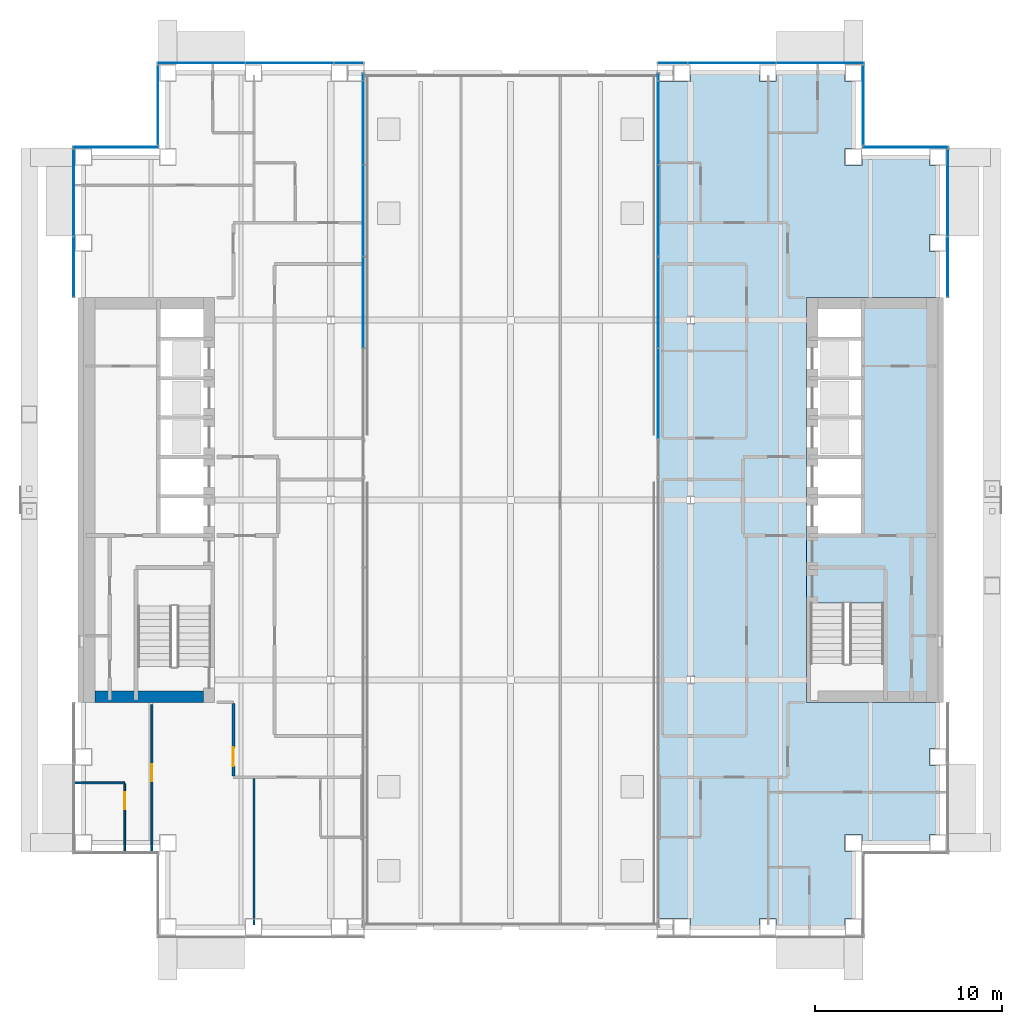
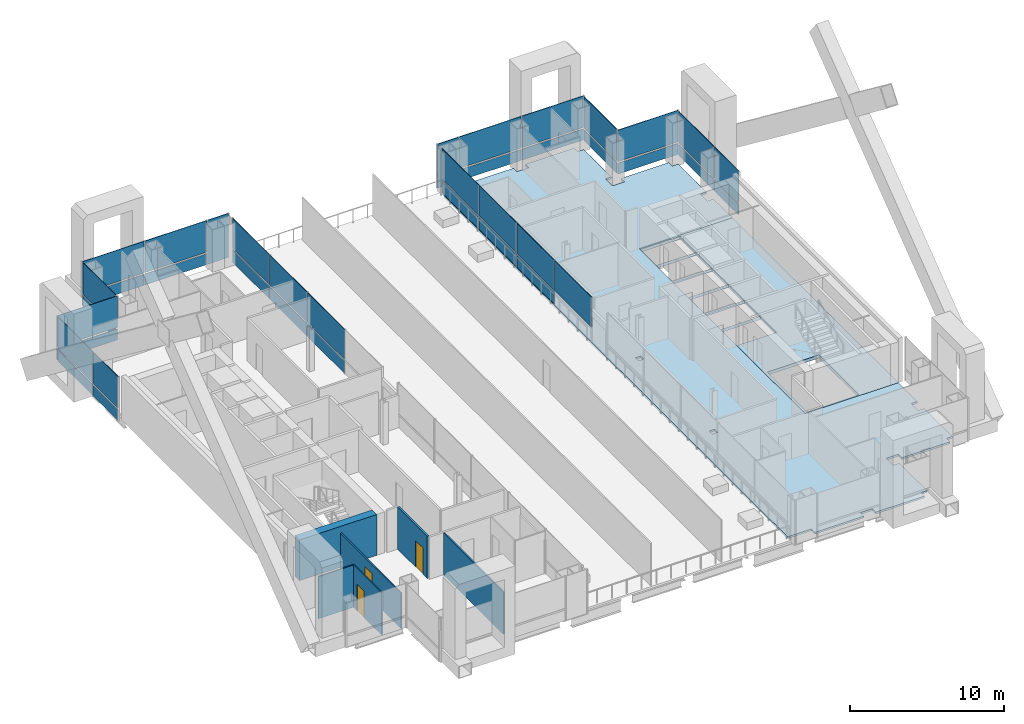
# One storey, part 12 of 20: 39 plates, 6 walls, 3 doors, 2 slabs, 3 openings, 10 elements without a shape of their own.
"""IFC4 building model written with IfcOpenShell, lengths in metres."""

from ifc_helpers import new_model, si_unit, direction, frame, frame_2d, origin, origin_2d, place, context, subcontext, project, spatial, polyline, rectangle, outline, extrude, material, layer, layer_set, type_object, element, fill, aggregate, save


model = new_model("IFC4")

# Units and contexts
model_context = context("Model", 3, precision=1e-05, world=origin(), true_north=direction((0.0, 1.0)))
body_context = subcontext(model_context, "Body", "Model", "MODEL_VIEW")
ifc_project = project(units=[si_unit("LENGTHUNIT", "METRE"), si_unit("AREAUNIT", "SQUARE_METRE"), si_unit("VOLUMEUNIT", "CUBIC_METRE"), si_unit("PLANEANGLEUNIT", "RADIAN"), si_unit("MASSUNIT", "GRAM", prefix="KILO")], contexts=[model_context])

# Site, building, storey
site_placement = place(None, origin())
site = spatial("IfcSite", under=ifc_project, at=site_placement, CompositionType="ELEMENT")
building_placement = place(site_placement, origin())
building = spatial("IfcBuilding", under=site, at=building_placement, Name="Cobrizo Arcos Hotel Tower", CompositionType="ELEMENT")
storey_placement = place(building_placement, frame((0.0, 0.0, 117.0)))
storey = spatial("IfcBuildingStorey", under=building, at=storey_placement, Name="L29", CompositionType="ELEMENT", Elevation=117.0)

# Curtain wall, plates
ifc_material_1 = material(Name="Aluminium 6063-T6 anodised bronze", Category="aluminium")
curtain_wall_type_1 = type_object("IfcCurtainWallType", Name="CW-A guest facade", PredefinedType="NOTDEFINED", material=ifc_material_1)
curtain_wall_1_placement = place(storey_placement, origin())
curtain_wall_1 = element("IfcCurtainWall", 1, at=curtain_wall_1_placement, inside=storey, type_object=curtain_wall_type_1, Name="CW-A L29 E face", PredefinedType="NOTDEFINED")
ifc_material_2 = material(Name="Glass clear laminated low-e", Category="glass")
ifc_layer_1 = layer(ifc_material_2, 0.0400390625)
ifc_layer_set_1 = layer_set([ifc_layer_1], Name="CW-A glass panel")
plate_type_1 = type_object("IfcPlateType", Name="CW-A glass panel", PredefinedType="CURTAIN_PANEL", material=ifc_layer_set_1)
plate_1_placement = place(storey_placement, frame((23.324951171875, 12.4462890625, 0.990234375), z_axis=(0.0, 0.0, 1.0), x_axis=(0.0, 1.0, 0.0)))
plate_1 = element("IfcPlate", 2, at=plate_1_placement, type_object=plate_type_1, Name="CW-A glass panel 1117", PredefinedType="CURTAIN_PANEL", context=body_context, shape_type="SweptSolid", body=[
    extrude(rectangle(XDim=3.172607421875, YDim=0.0400390625, at=origin_2d()), origin(), (0.0, 0.0, 1.0), 2.510009765625),
])
plate_2_placement = place(storey_placement, frame((23.324951171875, 16.391357421875, 0.990234375), z_axis=(0.0, 0.0, 1.0), x_axis=(0.0, 1.0, 0.0)))
plate_2 = element("IfcPlate", 3, at=plate_2_placement, type_object=plate_type_1, Name="CW-A glass panel 1118", PredefinedType="CURTAIN_PANEL", context=body_context, shape_type="SweptSolid", body=[
    extrude(rectangle(XDim=4.597412109375, YDim=0.0400390625, at=origin_2d()), origin(), (0.0, 0.0, 1.0), 2.510009765625),
])

# Curtain wall, plate
curtain_wall_2_placement = place(storey_placement, origin())
curtain_wall_2 = element("IfcCurtainWall", 4, at=curtain_wall_2_placement, inside=storey, type_object=curtain_wall_type_1, Name="CW-A L29 N face", PredefinedType="NOTDEFINED")
plate_3_placement = place(storey_placement, frame((21.074951171875, 18.824951171875, 0.990234375), z_axis=(0.0, 0.0, 1.0), x_axis=(-1.0, 0.0, 0.0)))
plate_3 = element("IfcPlate", 5, at=plate_3_placement, type_object=plate_type_1, Name="CW-A glass panel 1119", PredefinedType="CURTAIN_PANEL", context=body_context, shape_type="SweptSolid", body=[
    extrude(rectangle(XDim=4.530029296875, YDim=0.0400390625, at=origin_2d()), origin(), (0.0, 0.0, 1.0), 2.510009765625),
])

curtain_wall_3_placement = place(storey_placement, origin())
curtain_wall_3 = element("IfcCurtainWall", 6, at=curtain_wall_3_placement, inside=storey, type_object=curtain_wall_type_1, Name="CW-A L29 E face", PredefinedType="NOTDEFINED")
plate_4_placement = place(storey_placement, frame((18.824951171875, 21.074951171875, 0.990234375), z_axis=(0.0, 0.0, 1.0), x_axis=(0.0, 1.0, 0.0)))
plate_4 = element("IfcPlate", 7, at=plate_4_placement, type_object=plate_type_1, Name="CW-A glass panel 1120", PredefinedType="CURTAIN_PANEL", context=body_context, shape_type="SweptSolid", body=[
    extrude(rectangle(XDim=4.22998046875, YDim=0.0400390625, at=origin_2d()), origin(), (0.0, 0.0, 1.0), 2.510009765625),
])

# Curtain wall, plates
curtain_wall_4_placement = place(storey_placement, origin())
curtain_wall_4 = element("IfcCurtainWall", 8, at=curtain_wall_4_placement, inside=storey, type_object=curtain_wall_type_1, Name="CW-A L29 N face", PredefinedType="NOTDEFINED")
plate_5_placement = place(storey_placement, frame((16.5224609375, 23.324951171875, 0.990234375), z_axis=(0.0, 0.0, 1.0), x_axis=(-1.0, 0.0, 0.0)))
plate_5 = element("IfcPlate", 9, at=plate_5_placement, type_object=plate_type_1, Name="CW-A glass panel 1121", PredefinedType="CURTAIN_PANEL", context=body_context, shape_type="SweptSolid", body=[
    extrude(rectangle(XDim=4.635009765625, YDim=0.0400390625, at=origin_2d()), origin(), (0.0, 0.0, 1.0), 2.510009765625),
])
plate_6_placement = place(storey_placement, frame((11.8125, 23.324951171875, 0.990234375), z_axis=(0.0, 0.0, 1.0), x_axis=(-1.0, 0.0, 0.0)))
plate_6 = element("IfcPlate", 10, at=plate_6_placement, type_object=plate_type_1, Name="CW-A glass panel 1122", PredefinedType="CURTAIN_PANEL", context=body_context, shape_type="SweptSolid", body=[
    extrude(rectangle(XDim=4.6650390625, YDim=0.0400390625, at=origin_2d()), origin(), (0.0, 0.0, 1.0), 2.510009765625),
])

curtain_wall_5_placement = place(storey_placement, origin())
curtain_wall_5 = element("IfcCurtainWall", 11, at=curtain_wall_5_placement, inside=storey, type_object=curtain_wall_type_1, Name="CW-A L29 N face", PredefinedType="NOTDEFINED")
plate_7_placement = place(storey_placement, frame((-11.8125, 23.324951171875, 0.990234375), z_axis=(0.0, 0.0, 1.0), x_axis=(-1.0, 0.0, 0.0)))
plate_7 = element("IfcPlate", 12, at=plate_7_placement, type_object=plate_type_1, Name="CW-A glass panel 1125", PredefinedType="CURTAIN_PANEL", context=body_context, shape_type="SweptSolid", body=[
    extrude(rectangle(XDim=4.6650390625, YDim=0.0400390625, at=origin_2d()), origin(), (0.0, 0.0, 1.0), 2.510009765625),
])
plate_8_placement = place(storey_placement, frame((-16.5224609375, 23.324951171875, 0.990234375), z_axis=(0.0, 0.0, 1.0), x_axis=(-1.0, 0.0, 0.0)))
plate_8 = element("IfcPlate", 13, at=plate_8_placement, type_object=plate_type_1, Name="CW-A glass panel 1126", PredefinedType="CURTAIN_PANEL", context=body_context, shape_type="SweptSolid", body=[
    extrude(rectangle(XDim=4.635009765625, YDim=0.0400390625, at=origin_2d()), origin(), (0.0, 0.0, 1.0), 2.510009765625),
])

# Curtain wall, plate
curtain_wall_6_placement = place(storey_placement, origin())
curtain_wall_6 = element("IfcCurtainWall", 14, at=curtain_wall_6_placement, inside=storey, type_object=curtain_wall_type_1, Name="CW-A L29 W face", PredefinedType="NOTDEFINED")
plate_9_placement = place(storey_placement, frame((-18.824951171875, 21.074951171875, 0.990234375), z_axis=(0.0, 0.0, 1.0), x_axis=(0.0, -1.0, 0.0)))
plate_9 = element("IfcPlate", 15, at=plate_9_placement, type_object=plate_type_1, Name="CW-A glass panel 1127", PredefinedType="CURTAIN_PANEL", context=body_context, shape_type="SweptSolid", body=[
    extrude(rectangle(XDim=4.22998046875, YDim=0.0400390625, at=origin_2d()), origin(), (0.0, 0.0, 1.0), 2.510009765625),
])

curtain_wall_7_placement = place(storey_placement, origin())
curtain_wall_7 = element("IfcCurtainWall", 16, at=curtain_wall_7_placement, inside=storey, type_object=curtain_wall_type_1, Name="CW-A L29 N face", PredefinedType="NOTDEFINED")
plate_10_placement = place(storey_placement, frame((-21.074951171875, 18.824951171875, 0.990234375), z_axis=(0.0, 0.0, 1.0), x_axis=(-1.0, 0.0, 0.0)))
plate_10 = element("IfcPlate", 17, at=plate_10_placement, type_object=plate_type_1, Name="CW-A glass panel 1128", PredefinedType="CURTAIN_PANEL", context=body_context, shape_type="SweptSolid", body=[
    extrude(rectangle(XDim=4.530029296875, YDim=0.0400390625, at=origin_2d()), origin(), (0.0, 0.0, 1.0), 2.510009765625),
])

# Curtain wall, plates
curtain_wall_8_placement = place(storey_placement, origin())
curtain_wall_8 = element("IfcCurtainWall", 18, at=curtain_wall_8_placement, inside=storey, type_object=curtain_wall_type_1, Name="CW-A L29 W face", PredefinedType="NOTDEFINED")
plate_11_placement = place(storey_placement, frame((-23.324951171875, 16.391357421875, 0.990234375), z_axis=(0.0, 0.0, 1.0), x_axis=(0.0, -1.0, 0.0)))
plate_11 = element("IfcPlate", 19, at=plate_11_placement, type_object=plate_type_1, Name="CW-A glass panel 1129", PredefinedType="CURTAIN_PANEL", context=body_context, shape_type="SweptSolid", body=[
    extrude(rectangle(XDim=4.597412109375, YDim=0.0400390625, at=origin_2d()), origin(), (0.0, 0.0, 1.0), 2.510009765625),
])
plate_12_placement = place(storey_placement, frame((-23.324951171875, 12.4462890625, 0.990234375), z_axis=(0.0, 0.0, 1.0), x_axis=(0.0, -1.0, 0.0)))
plate_12 = element("IfcPlate", 20, at=plate_12_placement, type_object=plate_type_1, Name="CW-A glass panel 1130", PredefinedType="CURTAIN_PANEL", context=body_context, shape_type="SweptSolid", body=[
    extrude(rectangle(XDim=3.172607421875, YDim=0.0400390625, at=origin_2d()), origin(), (0.0, 0.0, 1.0), 2.510009765625),
])

# Plate
ifc_material_3 = material(Name="Aluminium composite panel pale metal", Category="aluminium")
ifc_layer_2 = layer(ifc_material_3, 0.0400390625)
ifc_layer_set_2 = layer_set([ifc_layer_2], Name="CW-A spandrel panel")
plate_type_2 = type_object("IfcPlateType", Name="CW-A spandrel panel", PredefinedType="CURTAIN_PANEL", material=ifc_layer_set_2)
plate_13_placement = place(storey_placement, frame((23.324951171875, 12.4462890625, 0.0), z_axis=(0.0, 0.0, 1.0), x_axis=(0.0, 1.0, 0.0)))
plate_13 = element("IfcPlate", 21, at=plate_13_placement, type_object=plate_type_2, Name="CW-A spandrel panel 1117", PredefinedType="CURTAIN_PANEL", context=body_context, shape_type="SweptSolid", body=[
    extrude(rectangle(XDim=3.172607421875, YDim=0.0400390625, at=origin_2d()), origin(), (0.0, 0.0, 1.0), 0.8701171875),
])

plate_14_placement = place(storey_placement, frame((23.324951171875, 16.391357421875, 0.0), z_axis=(0.0, 0.0, 1.0), x_axis=(0.0, 1.0, 0.0)))
plate_14 = element("IfcPlate", 22, at=plate_14_placement, type_object=plate_type_2, Name="CW-A spandrel panel 1118", PredefinedType="CURTAIN_PANEL", context=body_context, shape_type="SweptSolid", body=[
    extrude(rectangle(XDim=4.597412109375, YDim=0.0400390625, at=origin_2d()), origin(), (0.0, 0.0, 1.0), 0.8701171875),
])

aggregate(curtain_wall_1, [plate_13, plate_1, plate_14, plate_2])

plate_15_placement = place(storey_placement, frame((21.074951171875, 18.824951171875, 0.0), z_axis=(0.0, 0.0, 1.0), x_axis=(-1.0, 0.0, 0.0)))
plate_15 = element("IfcPlate", 23, at=plate_15_placement, type_object=plate_type_2, Name="CW-A spandrel panel 1119", PredefinedType="CURTAIN_PANEL", context=body_context, shape_type="SweptSolid", body=[
    extrude(rectangle(XDim=4.530029296875, YDim=0.0400390625, at=origin_2d()), origin(), (0.0, 0.0, 1.0), 0.8701171875),
])

aggregate(curtain_wall_2, [plate_15, plate_3])

plate_16_placement = place(storey_placement, frame((18.824951171875, 21.074951171875, 0.0), z_axis=(0.0, 0.0, 1.0), x_axis=(0.0, 1.0, 0.0)))
plate_16 = element("IfcPlate", 24, at=plate_16_placement, type_object=plate_type_2, Name="CW-A spandrel panel 1120", PredefinedType="CURTAIN_PANEL", context=body_context, shape_type="SweptSolid", body=[
    extrude(rectangle(XDim=4.22998046875, YDim=0.0400390625, at=origin_2d()), origin(), (0.0, 0.0, 1.0), 0.8701171875),
])

aggregate(curtain_wall_3, [plate_16, plate_4])

plate_17_placement = place(storey_placement, frame((16.5224609375, 23.324951171875, 0.0), z_axis=(0.0, 0.0, 1.0), x_axis=(-1.0, 0.0, 0.0)))
plate_17 = element("IfcPlate", 25, at=plate_17_placement, type_object=plate_type_2, Name="CW-A spandrel panel 1121", PredefinedType="CURTAIN_PANEL", context=body_context, shape_type="SweptSolid", body=[
    extrude(rectangle(XDim=4.635009765625, YDim=0.0400390625, at=origin_2d()), origin(), (0.0, 0.0, 1.0), 0.8701171875),
])

plate_18_placement = place(storey_placement, frame((11.8125, 23.324951171875, 0.0), z_axis=(0.0, 0.0, 1.0), x_axis=(-1.0, 0.0, 0.0)))
plate_18 = element("IfcPlate", 26, at=plate_18_placement, type_object=plate_type_2, Name="CW-A spandrel panel 1122", PredefinedType="CURTAIN_PANEL", context=body_context, shape_type="SweptSolid", body=[
    extrude(rectangle(XDim=4.6650390625, YDim=0.0400390625, at=origin_2d()), origin(), (0.0, 0.0, 1.0), 0.8701171875),
])

plate_19_placement = place(storey_placement, frame((8.639892578125, 23.324951171875, 0.0), z_axis=(0.0, 0.0, 1.0), x_axis=(-1.0, 0.0, 0.0)))
plate_19 = element("IfcPlate", 27, at=plate_19_placement, type_object=plate_type_2, Name="CW-A spandrel panel 1123", PredefinedType="CURTAIN_PANEL", context=body_context, shape_type="SweptSolid", body=[
    extrude(rectangle(XDim=1.56005859375, YDim=0.0400390625, at=origin_2d()), origin(), (0.0, 0.0, 1.0), 3.5),
])

aggregate(curtain_wall_4, [plate_17, plate_5, plate_18, plate_6, plate_19])

plate_20_placement = place(storey_placement, frame((-8.639892578125, 23.324951171875, 0.0), z_axis=(0.0, 0.0, 1.0), x_axis=(-1.0, 0.0, 0.0)))
plate_20 = element("IfcPlate", 28, at=plate_20_placement, type_object=plate_type_2, Name="CW-A spandrel panel 1124", PredefinedType="CURTAIN_PANEL", context=body_context, shape_type="SweptSolid", body=[
    extrude(rectangle(XDim=1.56005859375, YDim=0.0400390625, at=origin_2d()), origin(), (0.0, 0.0, 1.0), 3.5),
])

plate_21_placement = place(storey_placement, frame((-11.8125, 23.324951171875, 0.0), z_axis=(0.0, 0.0, 1.0), x_axis=(-1.0, 0.0, 0.0)))
plate_21 = element("IfcPlate", 29, at=plate_21_placement, type_object=plate_type_2, Name="CW-A spandrel panel 1125", PredefinedType="CURTAIN_PANEL", context=body_context, shape_type="SweptSolid", body=[
    extrude(rectangle(XDim=4.6650390625, YDim=0.0400390625, at=origin_2d()), origin(), (0.0, 0.0, 1.0), 0.8701171875),
])

plate_22_placement = place(storey_placement, frame((-16.5224609375, 23.324951171875, 0.0), z_axis=(0.0, 0.0, 1.0), x_axis=(-1.0, 0.0, 0.0)))
plate_22 = element("IfcPlate", 30, at=plate_22_placement, type_object=plate_type_2, Name="CW-A spandrel panel 1126", PredefinedType="CURTAIN_PANEL", context=body_context, shape_type="SweptSolid", body=[
    extrude(rectangle(XDim=4.635009765625, YDim=0.0400390625, at=origin_2d()), origin(), (0.0, 0.0, 1.0), 0.8701171875),
])

aggregate(curtain_wall_5, [plate_20, plate_21, plate_7, plate_22, plate_8])

plate_23_placement = place(storey_placement, frame((-18.824951171875, 21.074951171875, 0.0), z_axis=(0.0, 0.0, 1.0), x_axis=(0.0, -1.0, 0.0)))
plate_23 = element("IfcPlate", 31, at=plate_23_placement, type_object=plate_type_2, Name="CW-A spandrel panel 1127", PredefinedType="CURTAIN_PANEL", context=body_context, shape_type="SweptSolid", body=[
    extrude(rectangle(XDim=4.22998046875, YDim=0.0400390625, at=origin_2d()), origin(), (0.0, 0.0, 1.0), 0.8701171875),
])

aggregate(curtain_wall_6, [plate_23, plate_9])

plate_24_placement = place(storey_placement, frame((-21.074951171875, 18.824951171875, 0.0), z_axis=(0.0, 0.0, 1.0), x_axis=(-1.0, 0.0, 0.0)))
plate_24 = element("IfcPlate", 32, at=plate_24_placement, type_object=plate_type_2, Name="CW-A spandrel panel 1128", PredefinedType="CURTAIN_PANEL", context=body_context, shape_type="SweptSolid", body=[
    extrude(rectangle(XDim=4.530029296875, YDim=0.0400390625, at=origin_2d()), origin(), (0.0, 0.0, 1.0), 0.8701171875),
])

aggregate(curtain_wall_7, [plate_24, plate_10])

plate_25_placement = place(storey_placement, frame((-23.324951171875, 16.391357421875, 0.0), z_axis=(0.0, 0.0, 1.0), x_axis=(0.0, -1.0, 0.0)))
plate_25 = element("IfcPlate", 33, at=plate_25_placement, type_object=plate_type_2, Name="CW-A spandrel panel 1129", PredefinedType="CURTAIN_PANEL", context=body_context, shape_type="SweptSolid", body=[
    extrude(rectangle(XDim=4.597412109375, YDim=0.0400390625, at=origin_2d()), origin(), (0.0, 0.0, 1.0), 0.8701171875),
])

plate_26_placement = place(storey_placement, frame((-23.324951171875, 12.4462890625, 0.0), z_axis=(0.0, 0.0, 1.0), x_axis=(0.0, -1.0, 0.0)))
plate_26 = element("IfcPlate", 34, at=plate_26_placement, type_object=plate_type_2, Name="CW-A spandrel panel 1130", PredefinedType="CURTAIN_PANEL", context=body_context, shape_type="SweptSolid", body=[
    extrude(rectangle(XDim=3.172607421875, YDim=0.0400390625, at=origin_2d()), origin(), (0.0, 0.0, 1.0), 0.8701171875),
])

aggregate(curtain_wall_8, [plate_25, plate_11, plate_26, plate_12])

# Curtain wall, plates
curtain_wall_type_2 = type_object("IfcCurtainWallType", Name="CW-F void screen", PredefinedType="NOTDEFINED", material=ifc_material_1)
curtain_wall_9_placement = place(storey_placement, origin())
curtain_wall_9 = element("IfcCurtainWall", 35, at=curtain_wall_9_placement, inside=storey, type_object=curtain_wall_type_2, Name="CW-F L29 void screen B", PredefinedType="NOTDEFINED")
ifc_layer_3 = layer(ifc_material_2, 0.0400390625)
ifc_layer_set_3 = layer_set([ifc_layer_3], Name="CW-F glass panel")
plate_type_3 = type_object("IfcPlateType", Name="CW-F glass panel", PredefinedType="CURTAIN_PANEL", material=ifc_layer_set_3)
plate_27_placement = place(storey_placement, frame((7.875, 5.6650390625, 1.10986328125), z_axis=(0.0, 0.0, 1.0), x_axis=(0.0, 1.0, 0.0)))
plate_27 = element("IfcPlate", 36, at=plate_27_placement, type_object=plate_type_3, Name="CW-F glass panel 2573", PredefinedType="CURTAIN_PANEL", context=body_context, shape_type="SweptSolid", body=[
    extrude(rectangle(XDim=4.81005859375, YDim=0.0400390625, at=origin_2d()), origin(), (0.0, 0.0, 1.0), 2.389892578125),
])
plate_28_placement = place(storey_placement, frame((7.875, 10.550048828125, 0.0), z_axis=(0.0, 0.0, 1.0), x_axis=(0.0, 1.0, 0.0)))
plate_28 = element("IfcPlate", 37, at=plate_28_placement, type_object=plate_type_3, Name="CW-F glass panel 2574", PredefinedType="CURTAIN_PANEL", context=body_context, shape_type="SweptSolid", body=[
    extrude(rectangle(XDim=4.840087890625, YDim=0.0400390625, at=origin_2d()), origin(), (0.0, 0.0, 1.0), 0.989990234375),
])
plate_29_placement = place(storey_placement, frame((7.875, 10.550048828125, 1.10986328125), z_axis=(0.0, 0.0, 1.0), x_axis=(0.0, 1.0, 0.0)))
plate_29 = element("IfcPlate", 38, at=plate_29_placement, type_object=plate_type_3, Name="CW-F glass panel 2574", PredefinedType="CURTAIN_PANEL", context=body_context, shape_type="SweptSolid", body=[
    extrude(rectangle(XDim=4.840087890625, YDim=0.0400390625, at=origin_2d()), origin(), (0.0, 0.0, 1.0), 2.389892578125),
])
plate_30_placement = place(storey_placement, frame((7.875, 15.449951171875, 0.0), z_axis=(0.0, 0.0, 1.0), x_axis=(0.0, 1.0, 0.0)))
plate_30 = element("IfcPlate", 39, at=plate_30_placement, type_object=plate_type_3, Name="CW-F glass panel 2575", PredefinedType="CURTAIN_PANEL", context=body_context, shape_type="SweptSolid", body=[
    extrude(rectangle(XDim=4.840087890625, YDim=0.0400390625, at=origin_2d()), origin(), (0.0, 0.0, 1.0), 0.989990234375),
])
plate_31_placement = place(storey_placement, frame((7.875, 15.449951171875, 1.10986328125), z_axis=(0.0, 0.0, 1.0), x_axis=(0.0, 1.0, 0.0)))
plate_31 = element("IfcPlate", 40, at=plate_31_placement, type_object=plate_type_3, Name="CW-F glass panel 2575", PredefinedType="CURTAIN_PANEL", context=body_context, shape_type="SweptSolid", body=[
    extrude(rectangle(XDim=4.840087890625, YDim=0.0400390625, at=origin_2d()), origin(), (0.0, 0.0, 1.0), 2.389892578125),
])
plate_32_placement = place(storey_placement, frame((7.875, 20.3349609375, 0.0), z_axis=(0.0, 0.0, 1.0), x_axis=(0.0, 1.0, 0.0)))
plate_32 = element("IfcPlate", 41, at=plate_32_placement, type_object=plate_type_3, Name="CW-F glass panel 2576", PredefinedType="CURTAIN_PANEL", context=body_context, shape_type="SweptSolid", body=[
    extrude(rectangle(XDim=4.81005859375, YDim=0.0400390625, at=origin_2d()), origin(), (0.0, 0.0, 1.0), 0.989990234375),
])
plate_33_placement = place(storey_placement, frame((7.875, 20.3349609375, 1.10986328125), z_axis=(0.0, 0.0, 1.0), x_axis=(0.0, 1.0, 0.0)))
plate_33 = element("IfcPlate", 42, at=plate_33_placement, type_object=plate_type_3, Name="CW-F glass panel 2576", PredefinedType="CURTAIN_PANEL", context=body_context, shape_type="SweptSolid", body=[
    extrude(rectangle(XDim=4.81005859375, YDim=0.0400390625, at=origin_2d()), origin(), (0.0, 0.0, 1.0), 2.389892578125),
])
aggregate(curtain_wall_9, [plate_27, plate_28, plate_29, plate_30, plate_31, plate_32, plate_33])

curtain_wall_10_placement = place(storey_placement, origin())
curtain_wall_10 = element("IfcCurtainWall", 43, at=curtain_wall_10_placement, inside=storey, type_object=curtain_wall_type_2, Name="CW-F L29 void screen B", PredefinedType="NOTDEFINED")
plate_34_placement = place(storey_placement, frame((-7.875, 20.3349609375, 0.0), z_axis=(0.0, 0.0, 1.0), x_axis=(0.0, -1.0, 0.0)))
plate_34 = element("IfcPlate", 44, at=plate_34_placement, type_object=plate_type_3, Name="CW-F glass panel 2577", PredefinedType="CURTAIN_PANEL", context=body_context, shape_type="SweptSolid", body=[
    extrude(rectangle(XDim=4.81005859375, YDim=0.0400390625, at=origin_2d()), origin(), (0.0, 0.0, 1.0), 0.989990234375),
])
plate_35_placement = place(storey_placement, frame((-7.875, 20.3349609375, 1.10986328125), z_axis=(0.0, 0.0, 1.0), x_axis=(0.0, -1.0, 0.0)))
plate_35 = element("IfcPlate", 45, at=plate_35_placement, type_object=plate_type_3, Name="CW-F glass panel 2577", PredefinedType="CURTAIN_PANEL", context=body_context, shape_type="SweptSolid", body=[
    extrude(rectangle(XDim=4.81005859375, YDim=0.0400390625, at=origin_2d()), origin(), (0.0, 0.0, 1.0), 2.389892578125),
])
plate_36_placement = place(storey_placement, frame((-7.875, 15.449951171875, 0.0), z_axis=(0.0, 0.0, 1.0), x_axis=(0.0, -1.0, 0.0)))
plate_36 = element("IfcPlate", 46, at=plate_36_placement, type_object=plate_type_3, Name="CW-F glass panel 2578", PredefinedType="CURTAIN_PANEL", context=body_context, shape_type="SweptSolid", body=[
    extrude(rectangle(XDim=4.840087890625, YDim=0.0400390625, at=origin_2d()), origin(), (0.0, 0.0, 1.0), 0.989990234375),
])
plate_37_placement = place(storey_placement, frame((-7.875, 15.449951171875, 1.10986328125), z_axis=(0.0, 0.0, 1.0), x_axis=(0.0, -1.0, 0.0)))
plate_37 = element("IfcPlate", 47, at=plate_37_placement, type_object=plate_type_3, Name="CW-F glass panel 2578", PredefinedType="CURTAIN_PANEL", context=body_context, shape_type="SweptSolid", body=[
    extrude(rectangle(XDim=4.840087890625, YDim=0.0400390625, at=origin_2d()), origin(), (0.0, 0.0, 1.0), 2.389892578125),
])
plate_38_placement = place(storey_placement, frame((-7.875, 10.550048828125, 0.0), z_axis=(0.0, 0.0, 1.0), x_axis=(0.0, -1.0, 0.0)))
plate_38 = element("IfcPlate", 48, at=plate_38_placement, type_object=plate_type_3, Name="CW-F glass panel 2579", PredefinedType="CURTAIN_PANEL", context=body_context, shape_type="SweptSolid", body=[
    extrude(rectangle(XDim=4.840087890625, YDim=0.0400390625, at=origin_2d()), origin(), (0.0, 0.0, 1.0), 0.989990234375),
])
plate_39_placement = place(storey_placement, frame((-7.875, 10.550048828125, 1.10986328125), z_axis=(0.0, 0.0, 1.0), x_axis=(0.0, -1.0, 0.0)))
plate_39 = element("IfcPlate", 49, at=plate_39_placement, type_object=plate_type_3, Name="CW-F glass panel 2579", PredefinedType="CURTAIN_PANEL", context=body_context, shape_type="SweptSolid", body=[
    extrude(rectangle(XDim=4.840087890625, YDim=0.0400390625, at=origin_2d()), origin(), (0.0, 0.0, 1.0), 2.389892578125),
])
aggregate(curtain_wall_10, [plate_34, plate_35, plate_36, plate_37, plate_38, plate_39])

# Slabs
ifc_material_4 = material(Name="Concrete f'c 35 MPa", Category="concrete")
ifc_layer_4 = layer(ifc_material_4, 0.14990234375)
ifc_layer_set_4 = layer_set([ifc_layer_4], Name="Composite floor slab 150 f'c 35")
slab_type_1 = type_object("IfcSlabType", Name="Composite floor slab 150 f'c 35", PredefinedType="FLOOR", material=ifc_layer_set_4)
slab_1_placement = place(storey_placement, frame((0.0, 0.0, -0.14990234375)))
element("IfcSlab", 50, at=slab_1_placement, inside=storey, type_object=slab_type_1, Name="Floor slab S5, L29, no. 02", PredefinedType="FLOOR", context=body_context, shape_type="SweptSolid", body=[
    extrude(outline(polyline([(7.800048828125, 22.800048828125), (7.800048828125, 22.35009765625), (8.699951171875, 22.35009765625), (9.60009765625, 22.35009765625), (9.60009765625, 22.800048828125), (13.27490234375, 22.800048828125), (13.27490234375, 22.35009765625), (14.175048828125, 22.35009765625), (14.175048828125, 22.800048828125), (17.85009765625, 22.800048828125), (17.85009765625, 22.35009765625), (18.300048828125, 22.35009765625), (18.300048828125, 18.75), (17.85009765625, 18.75), (17.85009765625, 17.85009765625), (18.75, 17.85009765625), (18.75, 18.300048828125), (22.35009765625, 18.300048828125), (22.35009765625, 17.85009765625), (22.800048828125, 17.85009765625), (22.800048828125, 14.175048828125), (22.35009765625, 14.175048828125), (22.35009765625, 13.27490234375), (22.800048828125, 13.27490234375), (22.800048828125, 10.800048828125), (15.800048828125, 10.800048828125), (15.800048828125, -10.800048828125), (22.800048828125, -10.800048828125), (22.800048828125, -13.27490234375), (22.35009765625, -13.27490234375), (22.35009765625, -14.175048828125), (22.800048828125, -14.175048828125), (22.800048828125, -17.85009765625), (22.35009765625, -17.85009765625), (22.35009765625, -18.300048828125), (18.75, -18.300048828125), (18.75, -17.85009765625), (17.85009765625, -17.85009765625), (17.85009765625, -18.75), (18.300048828125, -18.75), (18.300048828125, -22.35009765625), (17.85009765625, -22.35009765625), (17.85009765625, -22.800048828125), (14.175048828125, -22.800048828125), (14.175048828125, -22.35009765625), (13.27490234375, -22.35009765625), (13.27490234375, -22.800048828125), (9.60009765625, -22.800048828125), (9.60009765625, -22.35009765625), (8.699951171875, -22.35009765625), (7.800048828125, -22.35009765625), (7.800048828125, -22.800048828125), (7.800048828125, -22.800048828125), (7.800048828125, 22.800048828125), (7.800048828125, 22.800048828125)]), holes=[polyline([(9.79931640625, -9.79931640625), (9.79931640625, -9.400634765625), (9.400634765625, -9.400634765625), (9.400634765625, -9.79931640625), (9.79931640625, -9.79931640625)]), polyline([(9.79931640625, -0.199462890625), (9.79931640625, 0.199462890625), (9.400634765625, 0.199462890625), (9.400634765625, -0.199462890625), (9.79931640625, -0.199462890625)]), polyline([(9.79931640625, 9.79931640625), (9.400634765625, 9.79931640625), (9.400634765625, 9.400634765625), (9.79931640625, 9.400634765625), (9.79931640625, 9.79931640625)])]), origin(), (0.0, 0.0, 1.0), 0.14990234375),
])
ifc_material_5 = material(Name="Concrete f'c 50 MPa", Category="concrete")
ifc_layer_5 = layer(ifc_material_5, 0.25)
ifc_layer_set_5 = layer_set([ifc_layer_5], Name="RC core floor slab 250 f'c 50")
slab_type_2 = type_object("IfcSlabType", Name="RC core floor slab 250 f'c 50", PredefinedType="FLOOR", material=ifc_layer_set_5)
slab_2_placement = place(storey_placement, frame((0.0, 0.0, -0.25)))
element("IfcSlab", 51, at=slab_2_placement, inside=storey, type_object=slab_type_2, Name="Core floor slab CS5, east core, L29", PredefinedType="FLOOR", context=body_context, shape_type="SweptSolid", body=[
    extrude(outline(polyline([(15.800048828125, 10.800048828125), (22.800048828125, 10.800048828125), (22.800048828125, -10.800048828125), (15.800048828125, -10.800048828125), (15.800048828125, 10.800048828125)]), holes=[polyline([(19.89794921875, -10.697998046875), (19.89794921875, -5.501953125), (16.001953125, -5.501953125), (16.001953125, -10.697998046875), (19.89794921875, -10.697998046875)]), polyline([(15.802001953125, 0.197998046875), (15.802001953125, -1.89794921875), (18.798095703125, -1.89794921875), (18.798095703125, 0.197998046875), (15.802001953125, 0.197998046875)]), polyline([(18.798095703125, 2.298095703125), (15.802001953125, 2.298095703125), (15.802001953125, 0.201904296875), (18.798095703125, 0.201904296875), (18.798095703125, 2.298095703125)]), polyline([(18.798095703125, 4.39794921875), (15.802001953125, 4.39794921875), (15.802001953125, 2.302001953125), (18.798095703125, 2.302001953125), (18.798095703125, 4.39794921875)]), polyline([(15.802001953125, 6.498046875), (15.802001953125, 4.402099609375), (18.798095703125, 4.402099609375), (18.798095703125, 6.498046875), (15.802001953125, 6.498046875)]), polyline([(18.798095703125, 8.597900390625), (15.802001953125, 8.597900390625), (15.802001953125, 6.501953125), (18.798095703125, 6.501953125), (18.798095703125, 8.597900390625)]), polyline([(18.798095703125, 10.697998046875), (15.802001953125, 10.697998046875), (15.802001953125, 8.60205078125), (18.798095703125, 8.60205078125), (18.798095703125, 10.697998046875)])]), origin(), (0.0, 0.0, 1.0), 0.25),
])

# Wall, opening, door
ifc_material_6 = material(Name="Gypsum board partition")
ifc_layer_6 = layer(ifc_material_6, 0.14990234375)
ifc_layer_set_6 = layer_set([ifc_layer_6], Name="Corridor wall EI 60 150")
wall_type_1 = type_object("IfcWallType", Name="Corridor wall EI 60 150", PredefinedType="PARTITIONING", material=ifc_layer_set_6)
wall_1_placement = place(storey_placement, frame((-14.800048828125, -14.72509765625, 0.0), z_axis=(0.0, 0.0, 1.0), x_axis=(0.0, 1.0, 0.0)))
wall_1 = element("IfcWall", 52, at=wall_1_placement, inside=storey, type_object=wall_type_1, Name="Partition 058", PredefinedType="PARTITIONING", context=body_context, shape_type="SweptSolid", body=[
    extrude(rectangle(XDim=3.85009765625, YDim=0.14990234375, at=frame_2d((1.925048828125, 0.0))), origin(), (0.0, 0.0, 1.0), 3.35009765625),
])
opening_1_placement = place(wall_1_placement, frame((0.52490234375, 0.0, 0.0)))
opening_1 = element("IfcOpeningElement", 53, at=opening_1_placement, cuts=wall_1, Name="Opening GD-05", PredefinedType="OPENING", context=body_context, shape_type="SweptSolid", body=[
    extrude(rectangle(XDim=1.0, YDim=2.10009765625, at=frame_2d((0.5, 1.050048828125))), frame((0.0, 0.0869140625, 0.0), z_axis=(0.0, -1.0, 0.0), x_axis=(1.0, 0.0, 0.0)), (0.0, 0.0, 1.0), 0.173828125),
])
ifc_material_7 = material(Name="Timber door leaf", Category="wood")
door_type_1 = type_object("IfcDoorType", Name="Guest room door FD30S 1000x2100", OperationType="SINGLE_SWING_LEFT", PredefinedType="DOOR", material=ifc_material_7)
door_1_placement = place(opening_1_placement, origin())
door_1 = element("IfcDoor", 54, at=door_1_placement, inside=storey, type_object=door_type_1, Name="Door GD-05", OperationType="SINGLE_SWING_LEFT", OverallHeight=2.10009765625, OverallWidth=1.0, PredefinedType="DOOR", context=body_context, shape_type="SweptSolid", body=[
    extrude(rectangle(XDim=1.0, YDim=2.10009765625, at=frame_2d((0.5, 1.050048828125))), frame((0.0, 0.02490234375, 0.0), z_axis=(0.0, -1.0, 0.0), x_axis=(1.0, 0.0, 0.0)), (0.0, 0.0, 1.0), 0.050048828125),
])
fill(opening_1, door_1)

# Wall
ifc_layer_7 = layer(ifc_material_6, 0.10009765625)
ifc_layer_set_7 = layer_set([ifc_layer_7], Name="Partition EI 30 100")
wall_type_2 = type_object("IfcWallType", Name="Partition EI 30 100", PredefinedType="PARTITIONING", material=ifc_layer_set_7)
wall_2_placement = place(storey_placement, frame((-23.280029296875, -15.10009765625, 0.0), z_axis=(0.0, 0.0, 1.0), x_axis=(1.0, 0.0, 0.0)))
element("IfcWall", 55, at=wall_2_placement, inside=storey, type_object=wall_type_2, Name="Partition 005", PredefinedType="PARTITIONING", context=body_context, shape_type="SweptSolid", body=[
    extrude(rectangle(XDim=2.679931640625, YDim=0.10009765625, at=frame_2d((1.33984375, 0.0))), origin(), (0.0, 0.0, 1.0), 3.35009765625),
])

# Wall, opening, door
wall_3_placement = place(storey_placement, frame((-20.60009765625, -18.780029296875, 0.0), z_axis=(0.0, 0.0, 1.0), x_axis=(0.0, 1.0, 0.0)))
wall_3 = element("IfcWall", 56, at=wall_3_placement, inside=storey, type_object=wall_type_2, Name="Partition 053", PredefinedType="PARTITIONING", context=body_context, shape_type="SweptSolid", body=[
    extrude(rectangle(XDim=3.630126953125, YDim=0.10009765625, at=frame_2d((1.81494140625, 0.0))), origin(), (0.0, 0.0, 1.0), 3.35009765625),
])
opening_2_placement = place(wall_3_placement, frame((2.27001953125, 0.0, 0.0)))
opening_2 = element("IfcOpeningElement", 57, at=opening_2_placement, cuts=wall_3, Name="Opening ED-07", PredefinedType="OPENING", context=body_context, shape_type="SweptSolid", body=[
    extrude(rectangle(XDim=0.89990234375, YDim=2.10009765625, at=frame_2d((0.449951171875, 1.050048828125))), frame((0.0, 0.06201171875, 0.0), z_axis=(0.0, -1.0, 0.0), x_axis=(1.0, 0.0, 0.0)), (0.0, 0.0, 1.0), 0.1240234375),
])
door_type_2 = type_object("IfcDoorType", Name="En-suite door 900x2100", OperationType="SINGLE_SWING_LEFT", PredefinedType="DOOR", material=ifc_material_7)
door_2_placement = place(opening_2_placement, origin())
door_2 = element("IfcDoor", 58, at=door_2_placement, inside=storey, type_object=door_type_2, Name="Door ED-07", OperationType="SINGLE_SWING_RIGHT", OverallHeight=2.10009765625, OverallWidth=0.89990234375, PredefinedType="DOOR", context=body_context, shape_type="SweptSolid", body=[
    extrude(rectangle(XDim=0.89990234375, YDim=2.10009765625, at=frame_2d((0.449951171875, 1.050048828125))), frame((0.0, 0.02490234375, 0.0), z_axis=(0.0, -1.0, 0.0), x_axis=(1.0, 0.0, 0.0)), (0.0, 0.0, 1.0), 0.050048828125),
])
fill(opening_2, door_2)

wall_4_placement = place(storey_placement, frame((-19.14990234375, -18.780029296875, 0.0), z_axis=(0.0, 0.0, 1.0), x_axis=(0.0, 1.0, 0.0)))
wall_4 = element("IfcWall", 59, at=wall_4_placement, inside=storey, type_object=wall_type_2, Name="Partition 055", PredefinedType="PARTITIONING", context=body_context, shape_type="SweptSolid", body=[
    extrude(rectangle(XDim=7.860107421875, YDim=0.10009765625, at=frame_2d((3.93017578125, 0.0))), origin(), (0.0, 0.0, 1.0), 2.81689453125),
])
opening_3_placement = place(wall_4_placement, frame((3.780029296875, 0.0, 0.0)))
opening_3 = element("IfcOpeningElement", 60, at=opening_3_placement, cuts=wall_4, Name="Opening RD-07", PredefinedType="OPENING", context=body_context, shape_type="SweptSolid", body=[
    extrude(rectangle(XDim=0.89990234375, YDim=2.10009765625, at=frame_2d((0.449951171875, 1.050048828125))), frame((0.0, 0.06201171875, 0.0), z_axis=(0.0, -1.0, 0.0), x_axis=(1.0, 0.0, 0.0)), (0.0, 0.0, 1.0), 0.1240234375),
])
door_type_3 = type_object("IfcDoorType", Name="Room door FD30 900x2100", OperationType="SINGLE_SWING_LEFT", PredefinedType="DOOR", material=ifc_material_7)
door_3_placement = place(opening_3_placement, origin())
door_3 = element("IfcDoor", 61, at=door_3_placement, inside=storey, type_object=door_type_3, Name="Door RD-07", OperationType="SINGLE_SWING_LEFT", OverallHeight=2.10009765625, OverallWidth=0.89990234375, PredefinedType="DOOR", context=body_context, shape_type="SweptSolid", body=[
    extrude(rectangle(XDim=0.89990234375, YDim=2.10009765625, at=frame_2d((0.449951171875, 1.050048828125))), frame((0.0, 0.02490234375, 0.0), z_axis=(0.0, -1.0, 0.0), x_axis=(1.0, 0.0, 0.0)), (0.0, 0.0, 1.0), 0.050048828125),
])
fill(opening_3, door_3)

# Walls
wall_5_placement = place(storey_placement, frame((-13.699951171875, -22.679931640625, 0.0), z_axis=(0.0, 0.0, 1.0), x_axis=(0.0, 1.0, 0.0)))
element("IfcWall", 62, at=wall_5_placement, inside=storey, type_object=wall_type_2, Name="Partition 060", PredefinedType="PARTITIONING", context=body_context, shape_type="SweptSolid", body=[
    extrude(rectangle(XDim=7.804931640625, YDim=0.10009765625, at=frame_2d((3.90234375, 0.0))), origin(), (0.0, 0.0, 1.0), 3.35009765625),
])
ifc_layer_8 = layer(ifc_material_5, 0.60009765625)
ifc_layer_set_8 = layer_set([ifc_layer_8], Name="RC core wall 600 f'c 50")
wall_type_3 = type_object("IfcWallType", Name="RC core wall 600 f'c 50", PredefinedType="SHEAR", material=ifc_layer_set_8)
wall_6_placement = place(storey_placement, frame((-22.199951171875, -10.5, 0.0), z_axis=(0.0, 0.0, 1.0), x_axis=(1.0, 0.0, 0.0)))
element("IfcWall", 63, at=wall_6_placement, inside=storey, type_object=wall_type_3, Name="Core wall CW2, west core, south end, L29", PredefinedType="SHEAR", context=body_context, shape_type="SweptSolid", body=[
    extrude(rectangle(XDim=5.800048828125, YDim=0.60009765625, at=frame_2d((2.89990234375, 0.0))), origin(), (0.0, 0.0, 1.0), 3.25),
])

save(model, "model.ifc")
